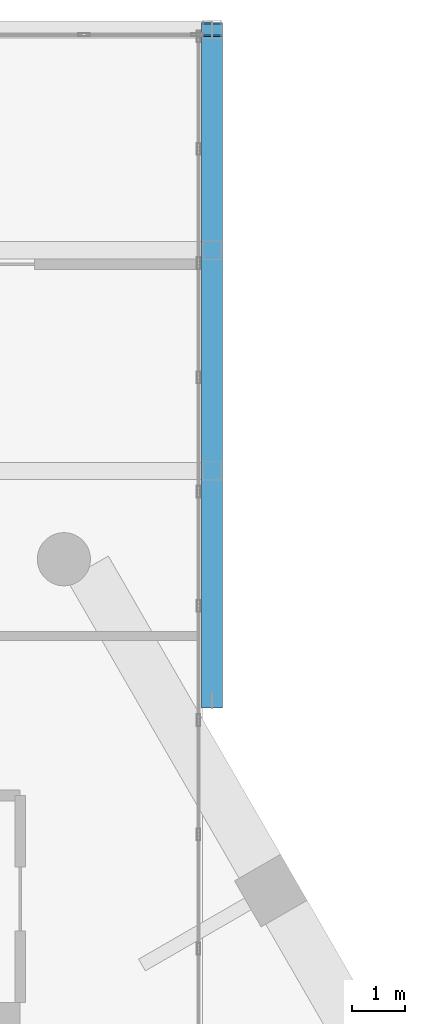
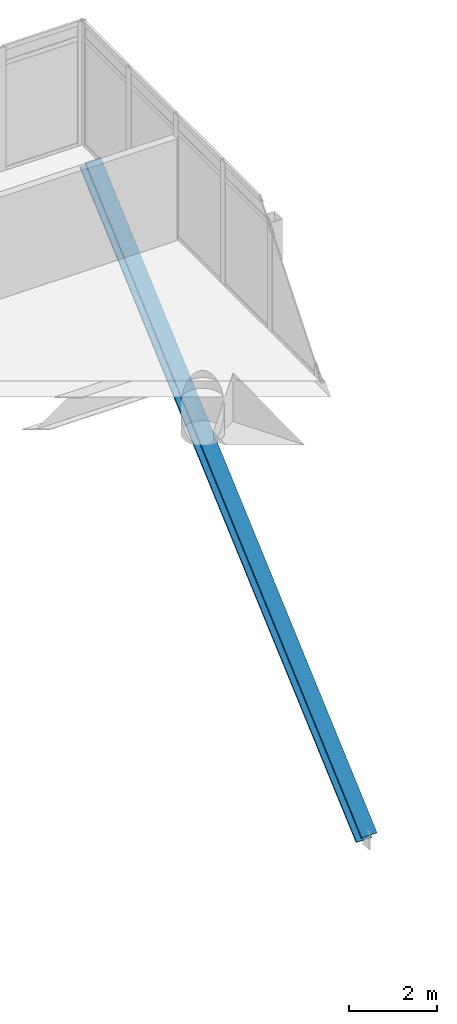
# One storey, part 27 of 38: 1 member.
"""IFC4 building model written with IfcOpenShell, lengths in metres."""

from ifc_helpers import new_model, si_unit, direction, frame, origin, origin_2d, place, context, subcontext, project, spatial, i_section, extrude, material, material_profile, profile_set, type_object, element, save


model = new_model("IFC4")

# Units and contexts
model_context = context("Model", 3, precision=1e-05, world=origin(), true_north=direction((0.0, 1.0)))
body_context = subcontext(model_context, "Body", "Model", "MODEL_VIEW")
ifc_project = project(units=[si_unit("LENGTHUNIT", "METRE"), si_unit("AREAUNIT", "SQUARE_METRE"), si_unit("VOLUMEUNIT", "CUBIC_METRE"), si_unit("PLANEANGLEUNIT", "RADIAN"), si_unit("MASSUNIT", "GRAM", prefix="KILO")], contexts=[model_context])

# Site, building, storey
site_placement = place(None, origin())
site = spatial("IfcSite", under=ifc_project, at=site_placement, CompositionType="ELEMENT")
building_placement = place(site_placement, origin())
building = spatial("IfcBuilding", under=site, at=building_placement, Name="Ostrander Bayou Hotel Tower", CompositionType="ELEMENT")
storey_placement = place(building_placement, frame((0.0, 0.0, 194.5)))
storey = spatial("IfcBuildingStorey", under=building, at=storey_placement, Name="L48", CompositionType="ELEMENT", Elevation=194.5)

# Member
ifc_material = material(Name="Steel ASTM A992", Category="steel")
ifc_material_profile = material_profile(ifc_material, i_section(OverallWidth=0.403564453125, OverallDepth=0.407470703125, WebThickness=0.027099609375, FlangeThickness=0.043701171875, at=origin_2d()))
ifc_profile_set = profile_set([ifc_material_profile], Name="Steel ASTM A992")
member_type = type_object("IfcMemberType", Name="TK2 bar kicker strut W14x233", PredefinedType="BRACE", material=ifc_profile_set)
member_placement = place(storey_placement, frame((12.110107421875, 28.01611328125, -0.6611328125), z_axis=(0.0, -0.7486482836, -0.662967380391), x_axis=(1.0, 0.0, 0.0)))
element("IfcMember", 1, at=member_placement, inside=storey, type_object=member_type, Name="TK2 SB4WB kicker", PredefinedType="BRACE", context=body_context, shape_type="SweptSolid", body=[
    extrude(i_section(OverallWidth=0.403564453125, OverallDepth=0.407470703125, WebThickness=0.027099609375, FlangeThickness=0.043701171875, at=origin_2d()), origin(), (0.0, 0.0, 1.0), 16.877197265625),
])

save(model, "model.ifc")
